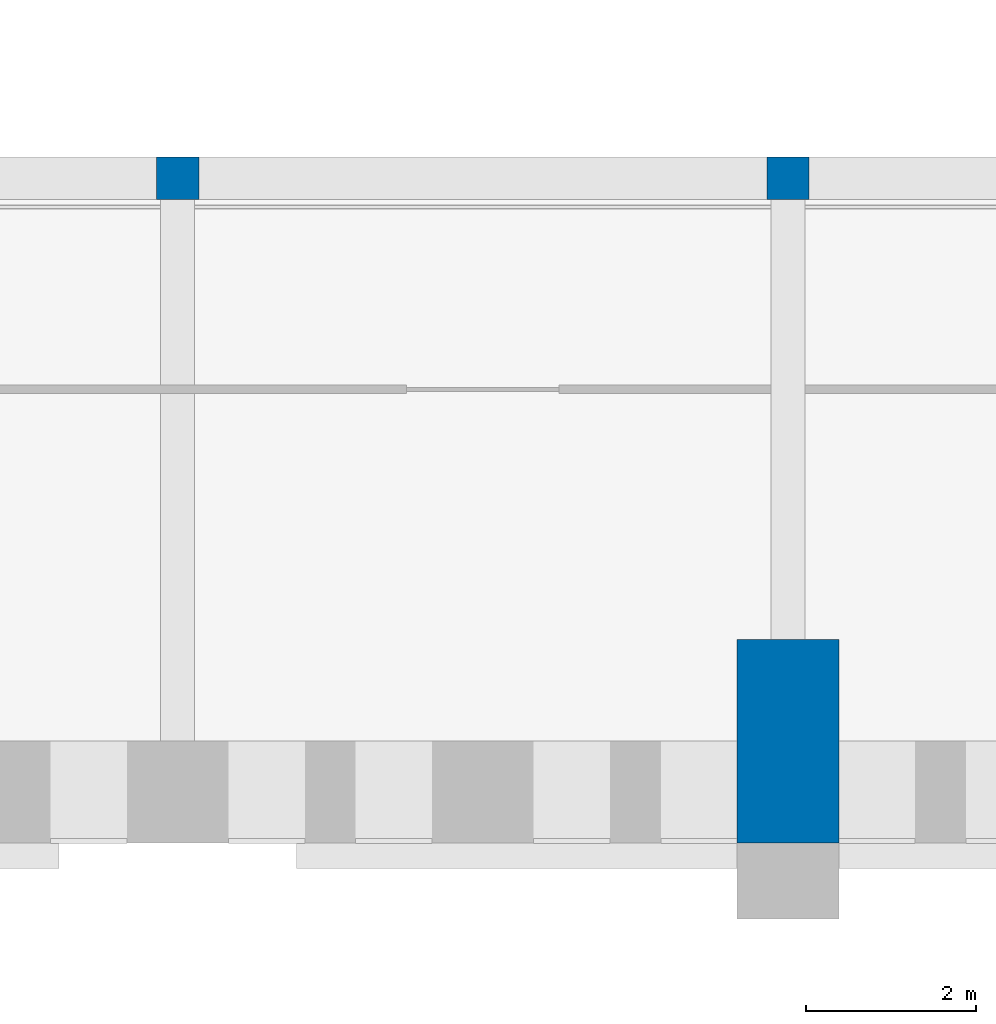
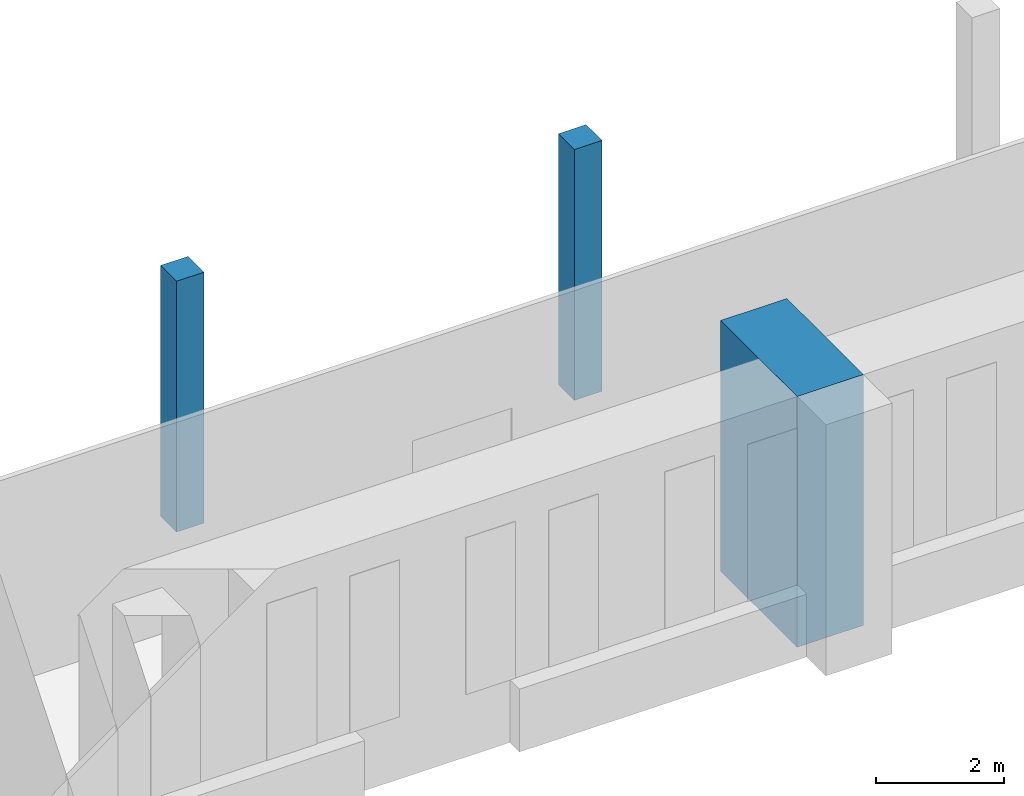
# One storey, part 7 of 131: 3 columns.
"""IFC4 building model written with IfcOpenShell, lengths in metres."""

from ifc_helpers import new_model, si_unit, direction, frame, origin, origin_2d, place, context, subcontext, project, spatial, rectangle, extrude, material, material_profile, profile_set, type_object, element, save


model = new_model("IFC4")

# Units and contexts
model_context = context("Model", 3, precision=1e-05, world=origin(), true_north=direction((0.0, 1.0)))
body_context = subcontext(model_context, "Body", "Model", "MODEL_VIEW")
ifc_project = project(units=[si_unit("LENGTHUNIT", "METRE"), si_unit("AREAUNIT", "SQUARE_METRE"), si_unit("VOLUMEUNIT", "CUBIC_METRE"), si_unit("PLANEANGLEUNIT", "RADIAN"), si_unit("MASSUNIT", "GRAM", prefix="KILO")], contexts=[model_context])

# Site, building, storey
site_placement = place(None, origin())
site = spatial("IfcSite", under=ifc_project, at=site_placement, CompositionType="ELEMENT")
building_placement = place(site_placement, origin())
building = spatial("IfcBuilding", under=site, at=building_placement, Name="Alderwick Market Hall", CompositionType="ELEMENT")
storey_placement = place(building_placement, frame((0.0, 0.0, 4.800048828125)))
storey = spatial("IfcBuildingStorey", under=building, at=storey_placement, Name="L00", CompositionType="ELEMENT", Elevation=4.800048828125)

# Columns
ifc_material = material(Name="Concrete 5000 psi (f'c 35 MPa)", Category="concrete")
ifc_material_profile_1 = material_profile(ifc_material, rectangle(XDim=0.5, YDim=0.5, at=origin_2d()), Name="RC 500x500")
ifc_profile_set_1 = profile_set([ifc_material_profile_1], Name="Concrete 5000 psi (f'c 35 MPa)")
column_type_1 = type_object("IfcColumnType", Name="H Column 500x500", PredefinedType="COLUMN", material=ifc_profile_set_1)
for number, where, z_axis, x_axis, name in (
    (1, (86.39990234375, 57.639892578125, 0.0), (0.0, 0.0, 1.0), (1.0, 0.0, 0.0), "Gallery column S7"),
    (2, (93.60009765625, 57.639892578125, 0.0), (0.0, 0.0, 1.0), (1.0, 0.0, 0.0), "Gallery column S9"),
):
    element("IfcColumn", number, at=place(storey_placement, frame(where, z_axis=z_axis, x_axis=x_axis)), inside=storey, type_object=column_type_1, Name=name, PredefinedType="COLUMN", context=body_context, shape_type="SweptSolid", body=[
        extrude(rectangle(XDim=0.5, YDim=0.5, at=origin_2d()), origin(), (0.0, 0.0, 1.0), 4.800048828125),
    ])
ifc_material_profile_2 = material_profile(ifc_material, rectangle(XDim=1.199951171875, YDim=2.39990234375, at=origin_2d()), Name="RC 1200x2400")
ifc_profile_set_2 = profile_set([ifc_material_profile_2], Name="Concrete 5000 psi (f'c 35 MPa)")
column_type_2 = type_object("IfcColumnType", Name="R Buttress Pier 1200x2400", PredefinedType="COLUMN", material=ifc_profile_set_2)
column_placement = place(storey_placement, frame((93.60009765625, 51.0, 0.0), z_axis=(0.0, 0.0, 1.0), x_axis=(1.0, 0.0, 0.0)))
element("IfcColumn", 3, at=column_placement, inside=storey, type_object=column_type_2, Name="Buttress pier S4 L00", PredefinedType="COLUMN", context=body_context, shape_type="SweptSolid", body=[
    extrude(rectangle(XDim=1.199951171875, YDim=2.39990234375, at=origin_2d()), origin(), (0.0, 0.0, 1.0), 4.800048828125),
])

save(model, "model.ifc")
